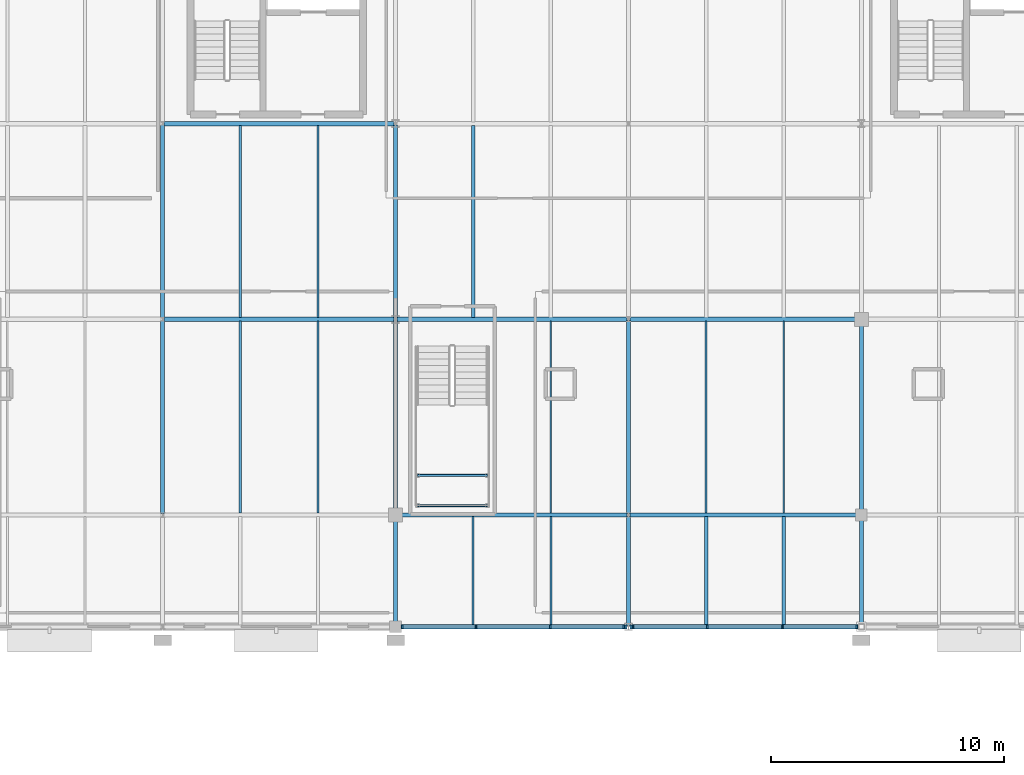
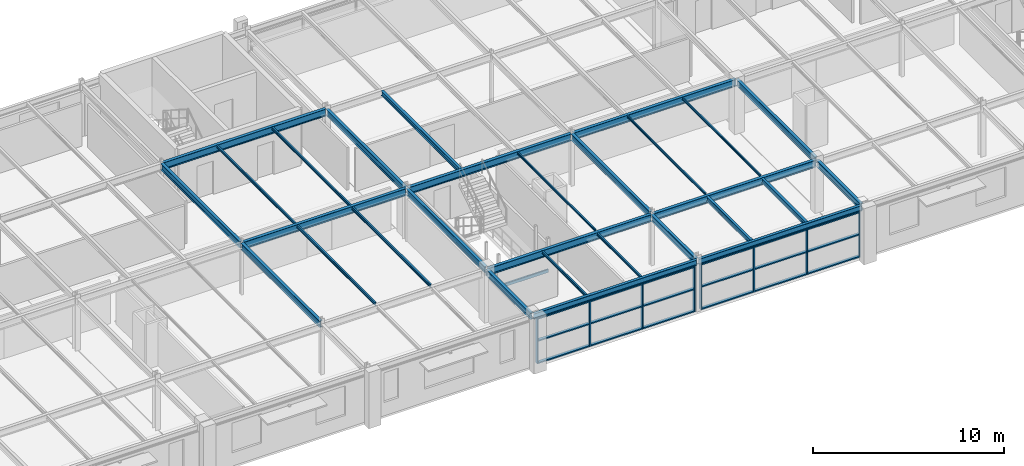
# One storey, part 82 of 109: 31 beams, 26 members, 2 elements without a shape of their own.
"""IFC4 building model written with IfcOpenShell, lengths in metres."""

import ifcopenshell
import ifcopenshell.guid

model = None  # the IFC model being written
_history = None  # IfcOwnerHistory: only IFC2X3 demands one
_inside = {}  # id of a spatial element -> (the spatial element, [elements in it])
_under = {}  # id of a project, library or spatial element -> (it, [spatial elements below it])
_declared = {}  # id of a project -> (the project, [libraries it declares])
_typed = {}  # id of a type object -> (the type object, [elements of that type])
_made_of = {}  # id of a material, layer set ... -> (it, [elements and type objects made of it])


def new_model(schema):
    """Start an empty IFC model of exactly this schema.

    Asked for "IFC4X3", IfcOpenShell would pick the latest addendum, in which some entities
    have other attributes; the version numbers below select the first issue.
    IFC2X3 requires an IfcOwnerHistory on every rooted entity: one is made here for all.
    """
    global model, _history
    if schema == "IFC4X3":
        model = ifcopenshell.file(schema_version=(4, 3, 0, 0))
    else:
        model = ifcopenshell.file(schema=schema)
    _inside.clear()
    _under.clear()
    _declared.clear()
    _typed.clear()
    _made_of.clear()
    _history = None
    if model.schema == "IFC2X3":
        org = make("IfcOrganization", Name="unknown")
        user = make(
            "IfcPersonAndOrganization",
            ThePerson=make("IfcPerson", FamilyName="unknown"),
            TheOrganization=org,
        )
        app = make(
            "IfcApplication",
            ApplicationDeveloper=org,
            Version="unknown",
            ApplicationFullName="unknown",
            ApplicationIdentifier="unknown",
        )
        _history = make(
            "IfcOwnerHistory",
            OwningUser=user,
            OwningApplication=app,
            ChangeAction="ADDED",
            CreationDate=0,
        )
    return model


def make(cls, **values):
    """One entity of the class cls with the attributes given. An attribute that is None is left unset."""
    return model.create_entity(
        cls, **{name: value for name, value in values.items() if value is not None}
    )


def rooted(cls, **values):
    """An entity with a GlobalId (a new one), such as an element, a storey or a relation."""
    return make(cls, GlobalId=ifcopenshell.guid.new(), OwnerHistory=_history, **values)


def si_unit(unit_type, name, prefix=None):
    """IfcSIUnit, for example si_unit("LENGTHUNIT", "METRE", prefix="MILLI")."""
    return make("IfcSIUnit", UnitType=unit_type, Prefix=prefix, Name=name)


def derived_unit(unit_type, elements):
    """IfcDerivedUnit: a product of units, each with its exponent."""
    return make(
        "IfcDerivedUnit",
        Elements=[
            make("IfcDerivedUnitElement", Unit=unit, Exponent=power)
            for unit, power in elements
        ],
        UnitType=unit_type,
    )


def assignment(units):
    """IfcUnitAssignment: the units of a project."""
    return None if units is None else make("IfcUnitAssignment", Units=units)


def point(xyz):
    """IfcCartesianPoint."""
    return None if xyz is None else make("IfcCartesianPoint", Coordinates=xyz)


def direction(xyz):
    """IfcDirection."""
    return None if xyz is None else make("IfcDirection", DirectionRatios=xyz)


def frame(location, z_axis=None, x_axis=None):
    """IfcAxis2Placement3D, a coordinate frame: its origin and axes. An axis left out is left unset."""
    return make(
        "IfcAxis2Placement3D",
        Location=point(location),
        Axis=direction(z_axis),
        RefDirection=direction(x_axis),
    )


def frame_2d(location, x_axis=None):
    """IfcAxis2Placement2D, a coordinate frame in the plane: its origin and x axis."""
    return make(
        "IfcAxis2Placement2D", Location=point(location), RefDirection=direction(x_axis)
    )


def origin():
    """The frame at (0, 0, 0) with its axes left unset."""
    return frame((0.0, 0.0, 0.0))


def origin_2d_with_axis():
    """The frame at (0, 0) in the plane with the x axis (1, 0) written out."""
    return frame_2d((0.0, 0.0), x_axis=(1.0, 0.0))


def place(relative_to, where):
    """IfcLocalPlacement: puts the frame where relative to a parent placement (None: the world)."""
    return make(
        "IfcLocalPlacement", PlacementRelTo=relative_to, RelativePlacement=where
    )


def context(
    kind, dimensions, precision=None, world=None, true_north=None, identifier=None
):
    """IfcGeometricRepresentationContext, for example the 3D "Model" context."""
    return make(
        "IfcGeometricRepresentationContext",
        ContextIdentifier=identifier,
        ContextType=kind,
        CoordinateSpaceDimension=dimensions,
        Precision=precision,
        WorldCoordinateSystem=world,
        TrueNorth=true_north,
    )


def subcontext(parent, identifier, kind, view, scale=None):
    """IfcGeometricRepresentationSubContext, for example "Body" below "Model"."""
    return make(
        "IfcGeometricRepresentationSubContext",
        ContextIdentifier=identifier,
        ContextType=kind,
        ParentContext=parent,
        TargetScale=scale,
        TargetView=view,
    )


def project(units=None, contexts=None):
    """IfcProject with its units and contexts."""
    return rooted(
        "IfcProject",
        Name="project",
        RepresentationContexts=contexts,
        UnitsInContext=assignment(units),
    )


def spatial(cls, under=None, at=None, **own):
    """A site, building, storey or space (cls), placed at a placement, below another one or the project."""
    s = rooted(cls, ObjectPlacement=at, **own)
    if under is not None:
        _under.setdefault(under.id(), (under, []))[1].append(s)
    return s


def profile(cls, at=None, kind="AREA", **sizes):
    """A parametric profile (cls). Its sizes go by their IFC names, for example OverallWidth=200.0."""
    return make(cls, ProfileType=kind, Position=at, **sizes)


def rectangle(**sizes):
    """IfcRectangleProfileDef."""
    return profile("IfcRectangleProfileDef", **sizes)


def hollow_rectangle(**sizes):
    """IfcRectangleHollowProfileDef."""
    return profile("IfcRectangleHollowProfileDef", **sizes)


def i_section(**sizes):
    """IfcIShapeProfileDef."""
    return profile("IfcIShapeProfileDef", **sizes)


def extrude(swept, where, along, depth):
    """IfcExtrudedAreaSolid: the profile swept, set in the frame where, extruded along a direction by depth."""
    return make(
        "IfcExtrudedAreaSolid",
        SweptArea=swept,
        Position=where,
        ExtrudedDirection=direction(along),
        Depth=depth,
    )


def shape(context_of_items, identifier, shape_type, items):
    """IfcShapeRepresentation: the items that make up one representation, for example the "Body"."""
    return make(
        "IfcShapeRepresentation",
        ContextOfItems=context_of_items,
        RepresentationIdentifier=identifier,
        RepresentationType=shape_type,
        Items=items,
    )


def material(Name=None, Category=None):
    """IfcMaterial."""
    return make("IfcMaterial", Name=Name, Category=Category)


def material_profile(
    of_material, cross_section, Name=None, Category=None, Priority=None
):
    """IfcMaterialProfile: a cross section and its material."""
    return make(
        "IfcMaterialProfile",
        Name=Name,
        Material=of_material,
        Profile=cross_section,
        Priority=Priority,
        Category=Category,
    )


def profile_set(profiles, Name=None, composite=None):
    """IfcMaterialProfileSet."""
    return make(
        "IfcMaterialProfileSet",
        Name=Name,
        MaterialProfiles=profiles,
        CompositeProfile=composite,
    )


def made_of(thing, what):
    """Note that an element or type object is made of a material, layer set ...; save() writes the relation."""
    if what is not None:
        _made_of.setdefault(what.id(), (what, []))[1].append(thing)
    return thing


def type_object(cls, material=None, **own):
    """A type object (cls), such as IfcWallType, which elements share."""
    return made_of(rooted(cls, **own), material)


def element(
    cls,
    number,
    at=None,
    inside=None,
    cuts=None,
    type_object=None,
    material=None,
    context=None,
    identifier="Body",
    shape_type=None,
    held_by="IfcProductDefinitionShape",
    body=None,
    shapes=None,
    **own,
):
    """One element of the class cls, such as IfcWall. Its Tag is "e" and its number.

    at: its placement. inside: the storey or other place that contains it. cuts: it is an
    opening in that element (IfcRelVoidsElement). A single representation is given by context,
    identifier, shape_type and body (its items); several are given by shapes. held_by: the class
    of the entity that holds the representations. save() writes the other relations.
    """
    e = rooted(cls, Tag="e%d" % number, ObjectPlacement=at, **own)
    if body is not None:
        shapes = [shape(context, identifier, shape_type, body)]
    if shapes is not None:
        e.Representation = make(held_by, Representations=shapes)
    if inside is not None:
        _inside.setdefault(inside.id(), (inside, []))[1].append(e)
    if cuts is not None:
        rooted(
            "IfcRelVoidsElement", RelatingBuildingElement=cuts, RelatedOpeningElement=e
        )
    if type_object is not None:
        _typed.setdefault(type_object.id(), (type_object, []))[1].append(e)
    return made_of(e, material)


def aggregate(whole, parts):
    """IfcRelAggregates: a whole, such as a stair, and the parts it consists of."""
    return rooted("IfcRelAggregates", RelatingObject=whole, RelatedObjects=parts)


def save(model, path):
    """Write the relations noted so far, then the file.

    IfcRelAggregates (storeys below a building ...), IfcRelContainedInSpatialStructure (elements
    in a storey), IfcRelDefinesByType, IfcRelAssociatesMaterial and IfcRelDeclares: one each for
    every whole, place, type object, material and project.
    """
    for whole, parts in _under.values():
        aggregate(whole, parts)
    for where, things in _inside.values():
        rooted(
            "IfcRelContainedInSpatialStructure",
            RelatedElements=things,
            RelatingStructure=where,
        )
    for kind, things in _typed.values():
        rooted("IfcRelDefinesByType", RelatedObjects=things, RelatingType=kind)
    for what, things in _made_of.values():
        rooted("IfcRelAssociatesMaterial", RelatedObjects=things, RelatingMaterial=what)
    for by, libraries in _declared.values():
        rooted("IfcRelDeclares", RelatingContext=by, RelatedDefinitions=libraries)
    model.write(path)


model = new_model("IFC4")

# Units and contexts
model_context = context("Model", 3, precision=1e-05, world=origin(), true_north=direction((0.0, 1.0)))
body_context = subcontext(model_context, "Body", "Model", "MODEL_VIEW")
ifc_project = project(units=[si_unit("LENGTHUNIT", "METRE"), si_unit("AREAUNIT", "SQUARE_METRE"), si_unit("VOLUMEUNIT", "CUBIC_METRE"), si_unit("PLANEANGLEUNIT", "RADIAN"), si_unit("MASSUNIT", "GRAM", prefix="KILO"), derived_unit("THERMALTRANSMITTANCEUNIT", [(si_unit("POWERUNIT", "WATT"), 1), (si_unit("LENGTHUNIT", "METRE"), -2), (si_unit("THERMODYNAMICTEMPERATUREUNIT", "KELVIN"), -1)])], contexts=[model_context])

# Site, building, storey
site_placement = place(None, origin())
site = spatial("IfcSite", under=ifc_project, at=site_placement, CompositionType="ELEMENT")
building_placement = place(site_placement, origin())
building = spatial("IfcBuilding", under=site, at=building_placement, Name="Cinnabar Yard Market Hall", CompositionType="ELEMENT")
storey_placement = place(building_placement, frame((0.0, 0.0, 8.39990234375)))
storey = spatial("IfcBuildingStorey", under=building, at=storey_placement, Name="L02", CompositionType="ELEMENT", Elevation=8.39990234375)

# Beams
ifc_material_1 = material(Name="Steel Grade 300 (300 MPa)", Category="steel")
ifc_material_profile_1 = material_profile(ifc_material_1, i_section(OverallWidth=0.18994140625, OverallDepth=0.453857421875, WebThickness=0.008544921875, FlangeThickness=0.0126953125, FilletRadius=0.011474609375, at=origin_2d_with_axis()), Name="460UB67.1")
ifc_profile_set_1 = profile_set([ifc_material_profile_1], Name="Steel Grade 300 (300 MPa)")
beam_type_1 = type_object("IfcBeamType", Name="BM-B05", PredefinedType="BEAM", material=ifc_profile_set_1)
for number, where, z_axis, x_axis, name in (
    (1, (96.06005859375, 121.199951171875, 3.13330078125), (1.0, 0.0, 0.0), (0.0, 1.0, 0.0), "V3 L02 Girder X 01204"),
    (2, (96.06005859375, 129.60009765625, 3.13330078125), (1.0, 0.0, 0.0), (0.0, 1.0, 0.0), "V3 L02 Girder X 01205"),
    (3, (106.06005859375, 112.800048828125, 3.05322265625), (1.0, 0.0, 0.0), (0.0, 1.0, 0.0), "V3 L02 Girder X 01208"),
    (4, (106.06005859375, 121.199951171875, 3.13330078125), (1.0, 0.0, 0.0), (0.0, 1.0, 0.0), "V3 L02 Girder X 01209"),
    (5, (116.06005859375, 112.800048828125, 3.05322265625), (1.0, 0.0, 0.0), (0.0, 1.0, 0.0), "V3 L02 Girder X 01213"),
    (6, (116.06005859375, 121.199951171875, 3.13330078125), (1.0, 0.0, 0.0), (0.0, 1.0, 0.0), "V3 L02 Girder X 01214"),
):
    element("IfcBeam", number, at=place(storey_placement, frame(where, z_axis=z_axis, x_axis=x_axis)), inside=storey, type_object=beam_type_1, Name=name, PredefinedType="BEAM", context=body_context, shape_type="SweptSolid", body=[
        extrude(i_section(OverallWidth=0.18994140625, OverallDepth=0.453857421875, WebThickness=0.008544921875, FlangeThickness=0.0126953125, FilletRadius=0.011474609375, at=origin_2d_with_axis()), origin(), (0.0, 0.0, 1.0), 9.8798828125),
    ])
ifc_material_profile_2 = material_profile(ifc_material_1, i_section(OverallWidth=0.177978515625, OverallDepth=0.406494140625, WebThickness=0.0078125, FlangeThickness=0.0126953125, FilletRadius=0.011474609375, at=origin_2d_with_axis()), Name="410UB59.7")
ifc_profile_set_2 = profile_set([ifc_material_profile_2], Name="Steel Grade 300 (300 MPa)")
beam_type_2 = type_object("IfcBeamType", Name="BM-B06", PredefinedType="BEAM", material=ifc_profile_set_2)
beam_1_placement = place(storey_placement, frame((96.0, 112.860107421875, 3.156982421875), z_axis=(0.0, 1.0, 0.0), x_axis=(-1.0, 0.0, 0.0)))
element("IfcBeam", 7, at=beam_1_placement, inside=storey, type_object=beam_type_2, Name="V3 L02 Girder Y 01250", PredefinedType="BEAM", context=body_context, shape_type="SweptSolid", body=[
    extrude(i_section(OverallWidth=0.177978515625, OverallDepth=0.406494140625, WebThickness=0.0078125, FlangeThickness=0.0126953125, FilletRadius=0.011474609375, at=origin_2d_with_axis()), origin(), (0.0, 0.0, 1.0), 8.27978515625),
])
beam_2_placement = place(storey_placement, frame((96.0, 121.260009765625, 3.156982421875), z_axis=(0.0, 1.0, 0.0), x_axis=(-1.0, 0.0, 0.0)))
element("IfcBeam", 8, at=beam_2_placement, inside=storey, type_object=beam_type_2, Name="V3 L02 Girder Y 01251", PredefinedType="BEAM", context=body_context, shape_type="SweptSolid", body=[
    extrude(i_section(OverallWidth=0.177978515625, OverallDepth=0.406494140625, WebThickness=0.0078125, FlangeThickness=0.0126953125, FilletRadius=0.011474609375, at=origin_2d_with_axis()), origin(), (0.0, 0.0, 1.0), 8.280029296875),
])
beam_3_placement = place(storey_placement, frame((106.0, 108.06005859375, 3.076904296875), z_axis=(0.0, 1.0, 0.0), x_axis=(-1.0, 0.0, 0.0)))
element("IfcBeam", 9, at=beam_3_placement, inside=storey, type_object=beam_type_2, Name="V3 L02 Girder Y 01253", PredefinedType="BEAM", context=body_context, shape_type="SweptSolid", body=[
    extrude(i_section(OverallWidth=0.177978515625, OverallDepth=0.406494140625, WebThickness=0.0078125, FlangeThickness=0.0126953125, FilletRadius=0.011474609375, at=origin_2d_with_axis()), origin(), (0.0, 0.0, 1.0), 4.679931640625),
])
beam_4_placement = place(storey_placement, frame((106.0, 112.860107421875, 3.156982421875), z_axis=(0.0, 1.0, 0.0), x_axis=(-1.0, 0.0, 0.0)))
element("IfcBeam", 10, at=beam_4_placement, inside=storey, type_object=beam_type_2, Name="V3 L02 Girder Y 01254", PredefinedType="BEAM", context=body_context, shape_type="SweptSolid", body=[
    extrude(i_section(OverallWidth=0.177978515625, OverallDepth=0.406494140625, WebThickness=0.0078125, FlangeThickness=0.0126953125, FilletRadius=0.011474609375, at=origin_2d_with_axis()), origin(), (0.0, 0.0, 1.0), 8.27978515625),
])
beam_5_placement = place(storey_placement, frame((106.0, 121.260009765625, 3.156982421875), z_axis=(0.0, 1.0, 0.0), x_axis=(-1.0, 0.0, 0.0)))
element("IfcBeam", 11, at=beam_5_placement, inside=storey, type_object=beam_type_2, Name="V3 L02 Girder Y 01255", PredefinedType="BEAM", context=body_context, shape_type="SweptSolid", body=[
    extrude(i_section(OverallWidth=0.177978515625, OverallDepth=0.406494140625, WebThickness=0.0078125, FlangeThickness=0.0126953125, FilletRadius=0.011474609375, at=origin_2d_with_axis()), origin(), (0.0, 0.0, 1.0), 8.280029296875),
])
beam_6_placement = place(storey_placement, frame((116.0, 108.06005859375, 3.076904296875), z_axis=(0.0, 1.0, 0.0), x_axis=(-1.0, 0.0, 0.0)))
element("IfcBeam", 12, at=beam_6_placement, inside=storey, type_object=beam_type_2, Name="V3 L02 Girder Y 01257", PredefinedType="BEAM", context=body_context, shape_type="SweptSolid", body=[
    extrude(i_section(OverallWidth=0.177978515625, OverallDepth=0.406494140625, WebThickness=0.0078125, FlangeThickness=0.0126953125, FilletRadius=0.011474609375, at=origin_2d_with_axis()), origin(), (0.0, 0.0, 1.0), 4.679931640625),
])
beam_7_placement = place(storey_placement, frame((116.0, 112.860107421875, 3.156982421875), z_axis=(0.0, 1.0, 0.0), x_axis=(-1.0, 0.0, 0.0)))
element("IfcBeam", 13, at=beam_7_placement, inside=storey, type_object=beam_type_2, Name="V3 L02 Girder Y 01258", PredefinedType="BEAM", context=body_context, shape_type="SweptSolid", body=[
    extrude(i_section(OverallWidth=0.177978515625, OverallDepth=0.406494140625, WebThickness=0.0078125, FlangeThickness=0.0126953125, FilletRadius=0.011474609375, at=origin_2d_with_axis()), origin(), (0.0, 0.0, 1.0), 8.27978515625),
])
beam_8_placement = place(storey_placement, frame((126.0, 108.06005859375, 3.076904296875), z_axis=(0.0, 1.0, 0.0), x_axis=(-1.0, 0.0, 0.0)))
element("IfcBeam", 14, at=beam_8_placement, inside=storey, type_object=beam_type_2, Name="V3 L02 Girder Y 01261", PredefinedType="BEAM", context=body_context, shape_type="SweptSolid", body=[
    extrude(i_section(OverallWidth=0.177978515625, OverallDepth=0.406494140625, WebThickness=0.0078125, FlangeThickness=0.0126953125, FilletRadius=0.011474609375, at=origin_2d_with_axis()), origin(), (0.0, 0.0, 1.0), 4.679931640625),
])
beam_9_placement = place(storey_placement, frame((126.0, 112.860107421875, 3.156982421875), z_axis=(0.0, 1.0, 0.0), x_axis=(-1.0, 0.0, 0.0)))
element("IfcBeam", 15, at=beam_9_placement, inside=storey, type_object=beam_type_2, Name="V3 L02 Girder Y 01262", PredefinedType="BEAM", context=body_context, shape_type="SweptSolid", body=[
    extrude(i_section(OverallWidth=0.177978515625, OverallDepth=0.406494140625, WebThickness=0.0078125, FlangeThickness=0.0126953125, FilletRadius=0.011474609375, at=origin_2d_with_axis()), origin(), (0.0, 0.0, 1.0), 8.27978515625),
])
ifc_material_profile_3 = material_profile(ifc_material_1, i_section(OverallWidth=0.09912109375, OverallDepth=0.197998046875, WebThickness=0.00439453125, FlangeThickness=0.007080078125, FilletRadius=0.0087890625, at=origin_2d_with_axis()), Name="200UB18.2")
ifc_profile_set_3 = profile_set([ifc_material_profile_3], Name="Steel Grade 300 (300 MPa)")
beam_type_3 = type_object("IfcBeamType", Name="BM-J12", PredefinedType="JOIST", material=ifc_profile_set_3)
for number, where, z_axis, x_axis, name in (
    (16, (99.333251953125, 112.875, 3.260986328125), (0.0, 1.0, 0.0), (-1.0, 0.0, 0.0), "V3 L02 Joist 01306"),
    (17, (102.666748046875, 112.875, 3.260986328125), (0.0, 1.0, 0.0), (-1.0, 0.0, 0.0), "V3 L02 Joist 01309"),
):
    element("IfcBeam", number, at=place(storey_placement, frame(where, z_axis=z_axis, x_axis=x_axis)), inside=storey, type_object=beam_type_3, Name=name, PredefinedType="JOIST", context=body_context, shape_type="SweptSolid", body=[
        extrude(i_section(OverallWidth=0.09912109375, OverallDepth=0.197998046875, WebThickness=0.00439453125, FlangeThickness=0.007080078125, FilletRadius=0.0087890625, at=origin_2d_with_axis()), origin(), (0.0, 0.0, 1.0), 8.25),
    ])
ifc_material_profile_4 = material_profile(ifc_material_1, i_section(OverallWidth=0.090087890625, OverallDepth=0.175048828125, WebThickness=0.0048828125, FlangeThickness=0.008056640625, FilletRadius=0.0087890625, at=origin_2d_with_axis()), Name="180UB18.1")
ifc_profile_set_4 = profile_set([ifc_material_profile_4], Name="Steel Grade 300 (300 MPa)")
beam_type_4 = type_object("IfcBeamType", Name="BM-J13", PredefinedType="JOIST", material=ifc_profile_set_4)
for number, where, z_axis, x_axis, name in (
    (18, (99.333251953125, 121.27490234375, 3.272705078125), (0.0, 1.0, 0.0), (-1.0, 0.0, 0.0), "V3 L02 Joist 01307"),
    (19, (102.666748046875, 121.27490234375, 3.272705078125), (0.0, 1.0, 0.0), (-1.0, 0.0, 0.0), "V3 L02 Joist 01310"),
):
    element("IfcBeam", number, at=place(storey_placement, frame(where, z_axis=z_axis, x_axis=x_axis)), inside=storey, type_object=beam_type_4, Name=name, PredefinedType="JOIST", context=body_context, shape_type="SweptSolid", body=[
        extrude(i_section(OverallWidth=0.090087890625, OverallDepth=0.175048828125, WebThickness=0.0048828125, FlangeThickness=0.008056640625, FilletRadius=0.0087890625, at=origin_2d_with_axis()), origin(), (0.0, 0.0, 1.0), 8.25),
    ])
ifc_material_profile_5 = material_profile(ifc_material_1, i_section(OverallWidth=0.090087890625, OverallDepth=0.173095703125, WebThickness=0.00439453125, FlangeThickness=0.007080078125, FilletRadius=0.0087890625, at=origin_2d_with_axis()), Name="180UB16.1")
ifc_profile_set_5 = profile_set([ifc_material_profile_5], Name="Steel Grade 300 (300 MPa)")
beam_type_5 = type_object("IfcBeamType", Name="BM-J14", PredefinedType="JOIST", material=ifc_profile_set_5)
for number, where, z_axis, x_axis, name in (
    (20, (109.333251953125, 108.074951171875, 3.193603515625), (0.0, 1.0, 0.0), (-1.0, 0.0, 0.0), "V3 L02 Joist 01311"),
    (21, (112.666748046875, 108.074951171875, 3.193603515625), (0.0, 1.0, 0.0), (-1.0, 0.0, 0.0), "V3 L02 Joist 01314"),
):
    element("IfcBeam", number, at=place(storey_placement, frame(where, z_axis=z_axis, x_axis=x_axis)), inside=storey, type_object=beam_type_5, Name=name, PredefinedType="JOIST", context=body_context, shape_type="SweptSolid", body=[
        extrude(i_section(OverallWidth=0.090087890625, OverallDepth=0.173095703125, WebThickness=0.00439453125, FlangeThickness=0.007080078125, FilletRadius=0.0087890625, at=origin_2d_with_axis()), origin(), (0.0, 0.0, 1.0), 4.650146484375),
    ])
ifc_material_profile_6 = material_profile(ifc_material_1, i_section(OverallWidth=0.074951171875, OverallDepth=0.14990234375, WebThickness=0.0048828125, FlangeThickness=0.007080078125, FilletRadius=0.008056640625, at=origin_2d_with_axis()), Name="150UB14.0")
ifc_profile_set_6 = profile_set([ifc_material_profile_6], Name="Steel Grade 300 (300 MPa)")
beam_type_6 = type_object("IfcBeamType", Name="BM-J15", PredefinedType="JOIST", material=ifc_profile_set_6)
beam_10_placement = place(storey_placement, frame((112.666748046875, 112.875, 3.28515625), z_axis=(0.0, 1.0, 0.0), x_axis=(-1.0, 0.0, 0.0)))
element("IfcBeam", 22, at=beam_10_placement, inside=storey, type_object=beam_type_6, Name="V3 L02 Joist 01315", PredefinedType="JOIST", context=body_context, shape_type="SweptSolid", body=[
    extrude(i_section(OverallWidth=0.074951171875, OverallDepth=0.14990234375, WebThickness=0.0048828125, FlangeThickness=0.007080078125, FilletRadius=0.008056640625, at=origin_2d_with_axis()), origin(), (0.0, 0.0, 1.0), 8.25),
])
ifc_material_profile_7 = material_profile(ifc_material_1, i_section(OverallWidth=0.1650390625, OverallDepth=0.303955078125, WebThickness=0.006103515625, FlangeThickness=0.01025390625, FilletRadius=0.011474609375, at=origin_2d_with_axis()), Name="310UB40.4")
ifc_profile_set_7 = profile_set([ifc_material_profile_7], Name="Steel Grade 300 (300 MPa)")
beam_type_7 = type_object("IfcBeamType", Name="BM-J16", PredefinedType="JOIST", material=ifc_profile_set_7)
beam_11_placement = place(storey_placement, frame((109.333251953125, 121.27490234375, 3.2080078125), z_axis=(0.0, 1.0, 0.0), x_axis=(-1.0, 0.0, 0.0)))
element("IfcBeam", 23, at=beam_11_placement, inside=storey, type_object=beam_type_7, Name="V3 L02 Joist 01312", PredefinedType="JOIST", context=body_context, shape_type="SweptSolid", body=[
    extrude(i_section(OverallWidth=0.1650390625, OverallDepth=0.303955078125, WebThickness=0.006103515625, FlangeThickness=0.01025390625, FilletRadius=0.011474609375, at=origin_2d_with_axis()), origin(), (0.0, 0.0, 1.0), 8.25),
])
ifc_material_profile_8 = material_profile(ifc_material_1, i_section(OverallWidth=0.14892578125, OverallDepth=0.298095703125, WebThickness=0.005615234375, FlangeThickness=0.008056640625, FilletRadius=0.0087890625, at=origin_2d_with_axis()), Name="310UB32.0")
ifc_profile_set_8 = profile_set([ifc_material_profile_8], Name="Steel Grade 300 (300 MPa)")
beam_type_8 = type_object("IfcBeamType", Name="BM-J17", PredefinedType="JOIST", material=ifc_profile_set_8)
for number, where, z_axis, x_axis, name in (
    (24, (119.333251953125, 108.074951171875, 3.131103515625), (0.0, 1.0, 0.0), (-1.0, 0.0, 0.0), "V3 L02 Joist 01318"),
    (25, (122.666748046875, 108.074951171875, 3.131103515625), (0.0, 1.0, 0.0), (-1.0, 0.0, 0.0), "V3 L02 Joist 01322"),
):
    element("IfcBeam", number, at=place(storey_placement, frame(where, z_axis=z_axis, x_axis=x_axis)), inside=storey, type_object=beam_type_8, Name=name, PredefinedType="JOIST", context=body_context, shape_type="SweptSolid", body=[
        extrude(i_section(OverallWidth=0.14892578125, OverallDepth=0.298095703125, WebThickness=0.005615234375, FlangeThickness=0.008056640625, FilletRadius=0.0087890625, at=origin_2d_with_axis()), origin(), (0.0, 0.0, 1.0), 4.650146484375),
    ])
ifc_material_profile_9 = material_profile(ifc_material_1, i_section(OverallWidth=0.074951171875, OverallDepth=0.155029296875, WebThickness=0.006103515625, FlangeThickness=0.009521484375, FilletRadius=0.008056640625, at=origin_2d_with_axis()), Name="150UB18.0")
ifc_profile_set_9 = profile_set([ifc_material_profile_9], Name="Steel Grade 300 (300 MPa)")
beam_type_9 = type_object("IfcBeamType", Name="BM-J18", PredefinedType="JOIST", material=ifc_profile_set_9)
for number, where, z_axis, x_axis, name in (
    (26, (119.333251953125, 112.875, 3.28271484375), (0.0, 1.0, 0.0), (-1.0, 0.0, 0.0), "V3 L02 Joist 01319"),
    (27, (122.666748046875, 112.875, 3.28271484375), (0.0, 1.0, 0.0), (-1.0, 0.0, 0.0), "V3 L02 Joist 01323"),
):
    element("IfcBeam", number, at=place(storey_placement, frame(where, z_axis=z_axis, x_axis=x_axis)), inside=storey, type_object=beam_type_9, Name=name, PredefinedType="JOIST", context=body_context, shape_type="SweptSolid", body=[
        extrude(i_section(OverallWidth=0.074951171875, OverallDepth=0.155029296875, WebThickness=0.006103515625, FlangeThickness=0.009521484375, FilletRadius=0.008056640625, at=origin_2d_with_axis()), origin(), (0.0, 0.0, 1.0), 8.25),
    ])
ifc_material_2 = material(Name="Cold-formed steel C350L0", Category="steel")
ifc_material_profile_10 = material_profile(ifc_material_2, hollow_rectangle(XDim=0.10009765625, YDim=0.199951171875, WallThickness=0.006103515625, InnerFilletRadius=0.006103515625, OuterFilletRadius=0.011962890625, at=origin_2d_with_axis()), Name="200x100x6.0RHS")
ifc_profile_set_10 = profile_set([ifc_material_profile_10], Name="Cold-formed steel C350L0")
beam_type_10 = type_object("IfcBeamType", Name="BM-LN01", PredefinedType="LINTEL", material=ifc_profile_set_10)
for number, where, z_axis, x_axis, name in (
    (28, (106.949951171875, 113.199951171875, 1.5), (1.0, 0.0, 0.0), (0.0, 1.0, 0.0), "Feature Stair Landing Beam S ST-F4 L02"),
    (29, (106.949951171875, 114.5, 1.5), (1.0, 0.0, 0.0), (0.0, 1.0, 0.0), "Feature Stair Landing Beam N ST-F4 L02"),
):
    element("IfcBeam", number, at=place(storey_placement, frame(where, z_axis=z_axis, x_axis=x_axis)), inside=storey, type_object=beam_type_10, Name=name, PredefinedType="LINTEL", context=body_context, shape_type="SweptSolid", body=[
        extrude(hollow_rectangle(XDim=0.10009765625, YDim=0.199951171875, WallThickness=0.006103515625, InnerFilletRadius=0.006103515625, OuterFilletRadius=0.011962890625, at=origin_2d_with_axis()), origin(), (0.0, 0.0, 1.0), 3.0),
    ])
ifc_material_profile_11 = material_profile(ifc_material_1, i_section(OverallWidth=0.172119140625, OverallDepth=0.358642578125, WebThickness=0.008056640625, FlangeThickness=0.012939453125, FilletRadius=0.011474609375, at=origin_2d_with_axis()), Name="360UB56.7")
ifc_profile_set_11 = profile_set([ifc_material_profile_11], Name="Steel Grade 300 (300 MPa)")
beam_type_11 = type_object("IfcBeamType", Name="BM-SP02E", PredefinedType="SPANDREL", material=ifc_profile_set_11)
for number, where, z_axis, x_axis, name in (
    (30, (106.06005859375, 108.0, 3.100830078125), (1.0, 0.0, 0.0), (0.0, 1.0, 0.0), "V3 L02 Girder X 01207"),
    (31, (116.06005859375, 108.0, 3.100830078125), (1.0, 0.0, 0.0), (0.0, 1.0, 0.0), "V3 L02 Girder X 01212"),
):
    element("IfcBeam", number, at=place(storey_placement, frame(where, z_axis=z_axis, x_axis=x_axis)), inside=storey, type_object=beam_type_11, Name=name, PredefinedType="SPANDREL", context=body_context, shape_type="SweptSolid", body=[
        extrude(i_section(OverallWidth=0.172119140625, OverallDepth=0.358642578125, WebThickness=0.008056640625, FlangeThickness=0.012939453125, FilletRadius=0.011474609375, at=origin_2d_with_axis()), origin(), (0.0, 0.0, 1.0), 9.8798828125),
    ])

# Curtain wall, members
ifc_material_3 = material(Name="Anodised bronze aluminium courtyard facade", Category="aluminium")
curtain_wall_type_1 = type_object("IfcCurtainWallType", Name="CW-CWF096x29", PredefinedType="NOTDEFINED", material=ifc_material_3)
curtain_wall_1_placement = place(storey_placement, origin())
curtain_wall_1 = element("IfcCurtainWall", 32, at=curtain_wall_1_placement, inside=storey, type_object=curtain_wall_type_1, Name="Wing South Pishtaq Glazing L02 Bay 5", PredefinedType="NOTDEFINED")
ifc_material_4 = material(Name="Anodised bronze aluminium", Category="aluminium")
ifc_material_profile_12 = material_profile(ifc_material_4, rectangle(XDim=0.179931640625, YDim=0.074951171875, at=origin_2d_with_axis()), Name="MUL-CWF")
ifc_profile_set_12 = profile_set([ifc_material_profile_12], Name="Anodised bronze aluminium")
member_type_1 = type_object("IfcMemberType", Name="CWM-CWF", PredefinedType="MULLION", material=ifc_profile_set_12)
member_1_placement = place(storey_placement, frame((106.29150390625, 108.0, 0.0), z_axis=(0.0, 0.0, 1.0), x_axis=(0.0, 1.0, 0.0)))
member_1 = element("IfcMember", 33, at=member_1_placement, type_object=member_type_1, Name="CWF096x29 mullion 1", PredefinedType="MULLION", context=body_context, shape_type="SweptSolid", body=[
    extrude(rectangle(XDim=0.179931640625, YDim=0.074951171875, at=origin_2d_with_axis()), origin(), (0.0, 0.0, 1.0), 2.920166015625),
])
member_2_placement = place(storey_placement, frame((109.44921875, 108.0, 0.0), z_axis=(0.0, 0.0, 1.0), x_axis=(0.0, 1.0, 0.0)))
member_2 = element("IfcMember", 34, at=member_2_placement, type_object=member_type_1, Name="CWF096x29 mullion 2", PredefinedType="MULLION", context=body_context, shape_type="SweptSolid", body=[
    extrude(rectangle(XDim=0.179931640625, YDim=0.074951171875, at=origin_2d_with_axis()), origin(), (0.0, 0.0, 1.0), 2.920166015625),
])
member_3_placement = place(storey_placement, frame((112.644775390625, 108.0, 0.0), z_axis=(0.0, 0.0, 1.0), x_axis=(0.0, 1.0, 0.0)))
member_3 = element("IfcMember", 35, at=member_3_placement, type_object=member_type_1, Name="CWF096x29 mullion 3", PredefinedType="MULLION", context=body_context, shape_type="SweptSolid", body=[
    extrude(rectangle(XDim=0.179931640625, YDim=0.074951171875, at=origin_2d_with_axis()), origin(), (0.0, 0.0, 1.0), 2.920166015625),
])
member_4_placement = place(storey_placement, frame((115.802490234375, 108.0, 0.0), z_axis=(0.0, 0.0, 1.0), x_axis=(0.0, 1.0, 0.0)))
member_4 = element("IfcMember", 36, at=member_4_placement, type_object=member_type_1, Name="CWF096x29 mullion 4", PredefinedType="MULLION", context=body_context, shape_type="SweptSolid", body=[
    extrude(rectangle(XDim=0.179931640625, YDim=0.074951171875, at=origin_2d_with_axis()), origin(), (0.0, 0.0, 1.0), 2.920166015625),
])

curtain_wall_type_2 = type_object("IfcCurtainWallType", Name="CW-CWF097x29", PredefinedType="NOTDEFINED", material=ifc_material_3)
curtain_wall_2_placement = place(storey_placement, origin())
curtain_wall_2 = element("IfcCurtainWall", 37, at=curtain_wall_2_placement, inside=storey, type_object=curtain_wall_type_2, Name="Wing South Pishtaq Glazing L02 Bay 6", PredefinedType="NOTDEFINED")
member_5_placement = place(storey_placement, frame((116.197509765625, 108.0, 0.0), z_axis=(0.0, 0.0, 1.0), x_axis=(0.0, 1.0, 0.0)))
member_5 = element("IfcMember", 38, at=member_5_placement, type_object=member_type_1, Name="CWF097x29 mullion 1", PredefinedType="MULLION", context=body_context, shape_type="SweptSolid", body=[
    extrude(rectangle(XDim=0.179931640625, YDim=0.074951171875, at=origin_2d_with_axis()), origin(), (0.0, 0.0, 1.0), 2.920166015625),
])
member_6_placement = place(storey_placement, frame((119.38671875, 108.0, 0.0), z_axis=(0.0, 0.0, 1.0), x_axis=(0.0, 1.0, 0.0)))
member_6 = element("IfcMember", 39, at=member_6_placement, type_object=member_type_1, Name="CWF097x29 mullion 2", PredefinedType="MULLION", context=body_context, shape_type="SweptSolid", body=[
    extrude(rectangle(XDim=0.179931640625, YDim=0.074951171875, at=origin_2d_with_axis()), origin(), (0.0, 0.0, 1.0), 2.920166015625),
])
member_7_placement = place(storey_placement, frame((122.61328125, 108.0, 0.0), z_axis=(0.0, 0.0, 1.0), x_axis=(0.0, 1.0, 0.0)))
member_7 = element("IfcMember", 40, at=member_7_placement, type_object=member_type_1, Name="CWF097x29 mullion 3", PredefinedType="MULLION", context=body_context, shape_type="SweptSolid", body=[
    extrude(rectangle(XDim=0.179931640625, YDim=0.074951171875, at=origin_2d_with_axis()), origin(), (0.0, 0.0, 1.0), 2.920166015625),
])
member_8_placement = place(storey_placement, frame((125.802490234375, 108.0, 0.0), z_axis=(0.0, 0.0, 1.0), x_axis=(0.0, 1.0, 0.0)))
member_8 = element("IfcMember", 41, at=member_8_placement, type_object=member_type_1, Name="CWF097x29 mullion 4", PredefinedType="MULLION", context=body_context, shape_type="SweptSolid", body=[
    extrude(rectangle(XDim=0.179931640625, YDim=0.074951171875, at=origin_2d_with_axis()), origin(), (0.0, 0.0, 1.0), 2.920166015625),
])

# Member
ifc_material_profile_13 = material_profile(ifc_material_4, rectangle(XDim=0.179931640625, YDim=0.074951171875, at=origin_2d_with_axis()), Name="TRN-CWF")
ifc_profile_set_13 = profile_set([ifc_material_profile_13], Name="Anodised bronze aluminium")
member_type_2 = type_object("IfcMemberType", Name="CWT-CWF", PredefinedType="USERDEFINED", material=ifc_profile_set_13)
member_9_placement = place(storey_placement, frame((106.3291015625, 108.0, 0.03759765625), z_axis=(1.0, 0.0, 0.0), x_axis=(0.0, 1.0, 0.0)))
member_9 = element("IfcMember", 42, at=member_9_placement, type_object=member_type_2, Name="CWF096x29 transom 1.1", ObjectType="TRANSOM", PredefinedType="USERDEFINED", context=body_context, shape_type="SweptSolid", body=[
    extrude(rectangle(XDim=0.179931640625, YDim=0.074951171875, at=origin_2d_with_axis()), origin(), (0.0, 0.0, 1.0), 3.082763671875),
])

member_10_placement = place(storey_placement, frame((106.3291015625, 108.0, 1.460205078125), z_axis=(1.0, 0.0, 0.0), x_axis=(0.0, 1.0, 0.0)))
member_10 = element("IfcMember", 43, at=member_10_placement, type_object=member_type_2, Name="CWF096x29 transom 1.2", ObjectType="TRANSOM", PredefinedType="USERDEFINED", context=body_context, shape_type="SweptSolid", body=[
    extrude(rectangle(XDim=0.179931640625, YDim=0.074951171875, at=origin_2d_with_axis()), origin(), (0.0, 0.0, 1.0), 3.082763671875),
])

member_11_placement = place(storey_placement, frame((106.3291015625, 108.0, 2.882568359375), z_axis=(1.0, 0.0, 0.0), x_axis=(0.0, 1.0, 0.0)))
member_11 = element("IfcMember", 44, at=member_11_placement, type_object=member_type_2, Name="CWF096x29 transom 1.3", ObjectType="TRANSOM", PredefinedType="USERDEFINED", context=body_context, shape_type="SweptSolid", body=[
    extrude(rectangle(XDim=0.179931640625, YDim=0.074951171875, at=origin_2d_with_axis()), origin(), (0.0, 0.0, 1.0), 3.082763671875),
])

member_12_placement = place(storey_placement, frame((109.48681640625, 108.0, 0.03759765625), z_axis=(1.0, 0.0, 0.0), x_axis=(0.0, 1.0, 0.0)))
member_12 = element("IfcMember", 45, at=member_12_placement, type_object=member_type_2, Name="CWF096x29 transom 2.1", ObjectType="TRANSOM", PredefinedType="USERDEFINED", context=body_context, shape_type="SweptSolid", body=[
    extrude(rectangle(XDim=0.179931640625, YDim=0.074951171875, at=origin_2d_with_axis()), origin(), (0.0, 0.0, 1.0), 3.120361328125),
])

member_13_placement = place(storey_placement, frame((109.48681640625, 108.0, 1.460205078125), z_axis=(1.0, 0.0, 0.0), x_axis=(0.0, 1.0, 0.0)))
member_13 = element("IfcMember", 46, at=member_13_placement, type_object=member_type_2, Name="CWF096x29 transom 2.2", ObjectType="TRANSOM", PredefinedType="USERDEFINED", context=body_context, shape_type="SweptSolid", body=[
    extrude(rectangle(XDim=0.179931640625, YDim=0.074951171875, at=origin_2d_with_axis()), origin(), (0.0, 0.0, 1.0), 3.120361328125),
])

member_14_placement = place(storey_placement, frame((109.48681640625, 108.0, 2.882568359375), z_axis=(1.0, 0.0, 0.0), x_axis=(0.0, 1.0, 0.0)))
member_14 = element("IfcMember", 47, at=member_14_placement, type_object=member_type_2, Name="CWF096x29 transom 2.3", ObjectType="TRANSOM", PredefinedType="USERDEFINED", context=body_context, shape_type="SweptSolid", body=[
    extrude(rectangle(XDim=0.179931640625, YDim=0.074951171875, at=origin_2d_with_axis()), origin(), (0.0, 0.0, 1.0), 3.120361328125),
])

member_15_placement = place(storey_placement, frame((112.68212890625, 108.0, 0.03759765625), z_axis=(1.0, 0.0, 0.0), x_axis=(0.0, 1.0, 0.0)))
member_15 = element("IfcMember", 48, at=member_15_placement, type_object=member_type_2, Name="CWF096x29 transom 3.1", ObjectType="TRANSOM", PredefinedType="USERDEFINED", context=body_context, shape_type="SweptSolid", body=[
    extrude(rectangle(XDim=0.179931640625, YDim=0.074951171875, at=origin_2d_with_axis()), origin(), (0.0, 0.0, 1.0), 3.082763671875),
])

member_16_placement = place(storey_placement, frame((112.68212890625, 108.0, 1.460205078125), z_axis=(1.0, 0.0, 0.0), x_axis=(0.0, 1.0, 0.0)))
member_16 = element("IfcMember", 49, at=member_16_placement, type_object=member_type_2, Name="CWF096x29 transom 3.2", ObjectType="TRANSOM", PredefinedType="USERDEFINED", context=body_context, shape_type="SweptSolid", body=[
    extrude(rectangle(XDim=0.179931640625, YDim=0.074951171875, at=origin_2d_with_axis()), origin(), (0.0, 0.0, 1.0), 3.082763671875),
])

member_17_placement = place(storey_placement, frame((112.68212890625, 108.0, 2.882568359375), z_axis=(1.0, 0.0, 0.0), x_axis=(0.0, 1.0, 0.0)))
member_17 = element("IfcMember", 50, at=member_17_placement, type_object=member_type_2, Name="CWF096x29 transom 3.3", ObjectType="TRANSOM", PredefinedType="USERDEFINED", context=body_context, shape_type="SweptSolid", body=[
    extrude(rectangle(XDim=0.179931640625, YDim=0.074951171875, at=origin_2d_with_axis()), origin(), (0.0, 0.0, 1.0), 3.082763671875),
])

aggregate(curtain_wall_1, [member_1, member_2, member_3, member_4, member_9, member_10, member_11, member_12, member_13, member_14, member_15, member_16, member_17])

member_18_placement = place(storey_placement, frame((116.235107421875, 108.0, 0.03759765625), z_axis=(1.0, 0.0, 0.0), x_axis=(0.0, 1.0, 0.0)))
member_18 = element("IfcMember", 51, at=member_18_placement, type_object=member_type_2, Name="CWF097x29 transom 1.1", ObjectType="TRANSOM", PredefinedType="USERDEFINED", context=body_context, shape_type="SweptSolid", body=[
    extrude(rectangle(XDim=0.179931640625, YDim=0.074951171875, at=origin_2d_with_axis()), origin(), (0.0, 0.0, 1.0), 3.114013671875),
])

member_19_placement = place(storey_placement, frame((116.235107421875, 108.0, 1.460205078125), z_axis=(1.0, 0.0, 0.0), x_axis=(0.0, 1.0, 0.0)))
member_19 = element("IfcMember", 52, at=member_19_placement, type_object=member_type_2, Name="CWF097x29 transom 1.2", ObjectType="TRANSOM", PredefinedType="USERDEFINED", context=body_context, shape_type="SweptSolid", body=[
    extrude(rectangle(XDim=0.179931640625, YDim=0.074951171875, at=origin_2d_with_axis()), origin(), (0.0, 0.0, 1.0), 3.114013671875),
])

member_20_placement = place(storey_placement, frame((116.235107421875, 108.0, 2.882568359375), z_axis=(1.0, 0.0, 0.0), x_axis=(0.0, 1.0, 0.0)))
member_20 = element("IfcMember", 53, at=member_20_placement, type_object=member_type_2, Name="CWF097x29 transom 1.3", ObjectType="TRANSOM", PredefinedType="USERDEFINED", context=body_context, shape_type="SweptSolid", body=[
    extrude(rectangle(XDim=0.179931640625, YDim=0.074951171875, at=origin_2d_with_axis()), origin(), (0.0, 0.0, 1.0), 3.114013671875),
])

member_21_placement = place(storey_placement, frame((119.424072265625, 108.0, 0.03759765625), z_axis=(1.0, 0.0, 0.0), x_axis=(0.0, 1.0, 0.0)))
member_21 = element("IfcMember", 54, at=member_21_placement, type_object=member_type_2, Name="CWF097x29 transom 2.1", ObjectType="TRANSOM", PredefinedType="USERDEFINED", context=body_context, shape_type="SweptSolid", body=[
    extrude(rectangle(XDim=0.179931640625, YDim=0.074951171875, at=origin_2d_with_axis()), origin(), (0.0, 0.0, 1.0), 3.15185546875),
])

member_22_placement = place(storey_placement, frame((119.424072265625, 108.0, 1.460205078125), z_axis=(1.0, 0.0, 0.0), x_axis=(0.0, 1.0, 0.0)))
member_22 = element("IfcMember", 55, at=member_22_placement, type_object=member_type_2, Name="CWF097x29 transom 2.2", ObjectType="TRANSOM", PredefinedType="USERDEFINED", context=body_context, shape_type="SweptSolid", body=[
    extrude(rectangle(XDim=0.179931640625, YDim=0.074951171875, at=origin_2d_with_axis()), origin(), (0.0, 0.0, 1.0), 3.15185546875),
])

member_23_placement = place(storey_placement, frame((119.424072265625, 108.0, 2.882568359375), z_axis=(1.0, 0.0, 0.0), x_axis=(0.0, 1.0, 0.0)))
member_23 = element("IfcMember", 56, at=member_23_placement, type_object=member_type_2, Name="CWF097x29 transom 2.3", ObjectType="TRANSOM", PredefinedType="USERDEFINED", context=body_context, shape_type="SweptSolid", body=[
    extrude(rectangle(XDim=0.179931640625, YDim=0.074951171875, at=origin_2d_with_axis()), origin(), (0.0, 0.0, 1.0), 3.15185546875),
])

member_24_placement = place(storey_placement, frame((122.65087890625, 108.0, 0.03759765625), z_axis=(1.0, 0.0, 0.0), x_axis=(0.0, 1.0, 0.0)))
member_24 = element("IfcMember", 57, at=member_24_placement, type_object=member_type_2, Name="CWF097x29 transom 3.1", ObjectType="TRANSOM", PredefinedType="USERDEFINED", context=body_context, shape_type="SweptSolid", body=[
    extrude(rectangle(XDim=0.179931640625, YDim=0.074951171875, at=origin_2d_with_axis()), origin(), (0.0, 0.0, 1.0), 3.114013671875),
])

member_25_placement = place(storey_placement, frame((122.65087890625, 108.0, 1.460205078125), z_axis=(1.0, 0.0, 0.0), x_axis=(0.0, 1.0, 0.0)))
member_25 = element("IfcMember", 58, at=member_25_placement, type_object=member_type_2, Name="CWF097x29 transom 3.2", ObjectType="TRANSOM", PredefinedType="USERDEFINED", context=body_context, shape_type="SweptSolid", body=[
    extrude(rectangle(XDim=0.179931640625, YDim=0.074951171875, at=origin_2d_with_axis()), origin(), (0.0, 0.0, 1.0), 3.114013671875),
])

member_26_placement = place(storey_placement, frame((122.65087890625, 108.0, 2.882568359375), z_axis=(1.0, 0.0, 0.0), x_axis=(0.0, 1.0, 0.0)))
member_26 = element("IfcMember", 59, at=member_26_placement, type_object=member_type_2, Name="CWF097x29 transom 3.3", ObjectType="TRANSOM", PredefinedType="USERDEFINED", context=body_context, shape_type="SweptSolid", body=[
    extrude(rectangle(XDim=0.179931640625, YDim=0.074951171875, at=origin_2d_with_axis()), origin(), (0.0, 0.0, 1.0), 3.114013671875),
])

aggregate(curtain_wall_2, [member_5, member_6, member_7, member_8, member_18, member_19, member_20, member_21, member_22, member_23, member_24, member_25, member_26])

save(model, "model.ifc")
